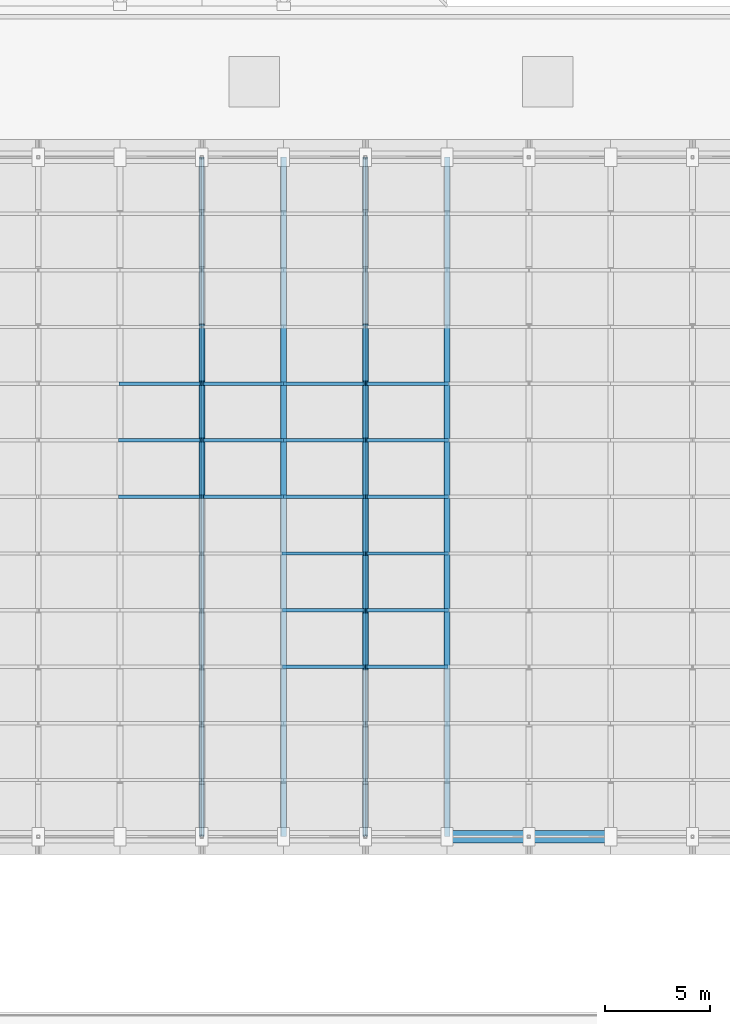
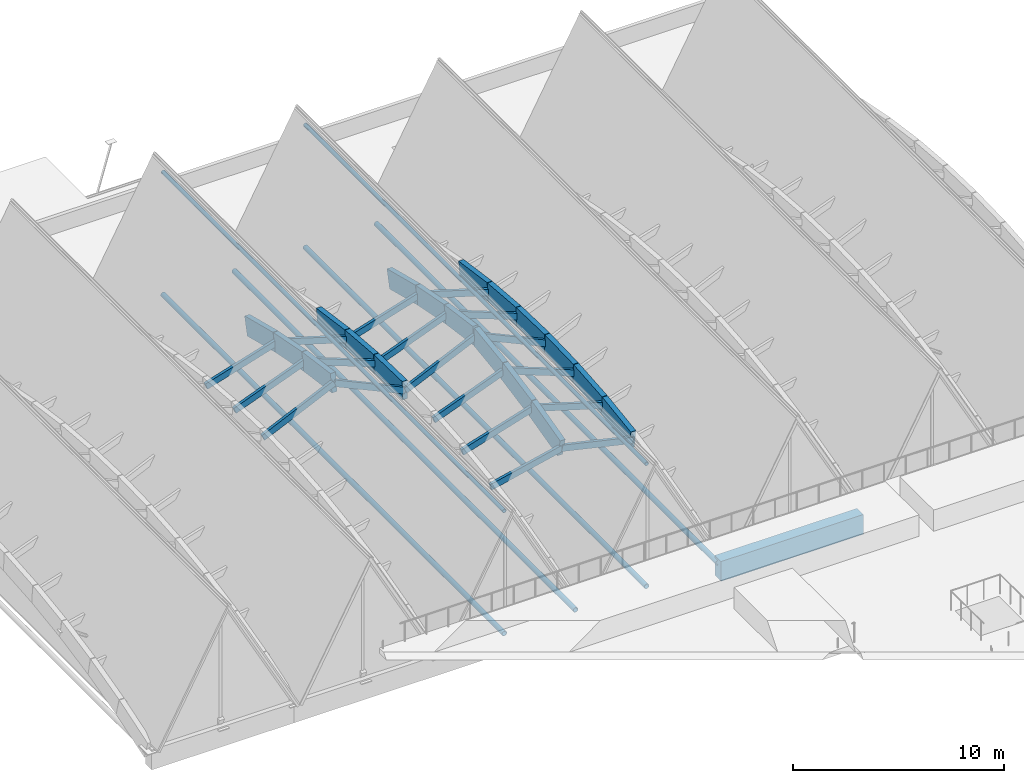
# One storey, part 7 of 39: 42 members, 1 beam.
"""IFC4 building model written with IfcOpenShell, lengths in metres."""

import ifcopenshell
import ifcopenshell.guid

model = None  # the IFC model being written
_history = None  # IfcOwnerHistory: only IFC2X3 demands one
_inside = {}  # id of a spatial element -> (the spatial element, [elements in it])
_under = {}  # id of a project, library or spatial element -> (it, [spatial elements below it])
_declared = {}  # id of a project -> (the project, [libraries it declares])
_typed = {}  # id of a type object -> (the type object, [elements of that type])
_made_of = {}  # id of a material, layer set ... -> (it, [elements and type objects made of it])


def new_model(schema):
    """Start an empty IFC model of exactly this schema.

    Asked for "IFC4X3", IfcOpenShell would pick the latest addendum, in which some entities
    have other attributes; the version numbers below select the first issue.
    IFC2X3 requires an IfcOwnerHistory on every rooted entity: one is made here for all.
    """
    global model, _history
    if schema == "IFC4X3":
        model = ifcopenshell.file(schema_version=(4, 3, 0, 0))
    else:
        model = ifcopenshell.file(schema=schema)
    _inside.clear()
    _under.clear()
    _declared.clear()
    _typed.clear()
    _made_of.clear()
    _history = None
    if model.schema == "IFC2X3":
        org = make("IfcOrganization", Name="unknown")
        user = make(
            "IfcPersonAndOrganization",
            ThePerson=make("IfcPerson", FamilyName="unknown"),
            TheOrganization=org,
        )
        app = make(
            "IfcApplication",
            ApplicationDeveloper=org,
            Version="unknown",
            ApplicationFullName="unknown",
            ApplicationIdentifier="unknown",
        )
        _history = make(
            "IfcOwnerHistory",
            OwningUser=user,
            OwningApplication=app,
            ChangeAction="ADDED",
            CreationDate=0,
        )
    return model


def make(cls, **values):
    """One entity of the class cls with the attributes given. An attribute that is None is left unset."""
    return model.create_entity(
        cls, **{name: value for name, value in values.items() if value is not None}
    )


def rooted(cls, **values):
    """An entity with a GlobalId (a new one), such as an element, a storey or a relation."""
    return make(cls, GlobalId=ifcopenshell.guid.new(), OwnerHistory=_history, **values)


def si_unit(unit_type, name, prefix=None):
    """IfcSIUnit, for example si_unit("LENGTHUNIT", "METRE", prefix="MILLI")."""
    return make("IfcSIUnit", UnitType=unit_type, Prefix=prefix, Name=name)


def assignment(units):
    """IfcUnitAssignment: the units of a project."""
    return None if units is None else make("IfcUnitAssignment", Units=units)


def point(xyz):
    """IfcCartesianPoint."""
    return None if xyz is None else make("IfcCartesianPoint", Coordinates=xyz)


def direction(xyz):
    """IfcDirection."""
    return None if xyz is None else make("IfcDirection", DirectionRatios=xyz)


def frame(location, z_axis=None, x_axis=None):
    """IfcAxis2Placement3D, a coordinate frame: its origin and axes. An axis left out is left unset."""
    return make(
        "IfcAxis2Placement3D",
        Location=point(location),
        Axis=direction(z_axis),
        RefDirection=direction(x_axis),
    )


def frame_2d(location, x_axis=None):
    """IfcAxis2Placement2D, a coordinate frame in the plane: its origin and x axis."""
    return make(
        "IfcAxis2Placement2D", Location=point(location), RefDirection=direction(x_axis)
    )


def origin():
    """The frame at (0, 0, 0) with its axes left unset."""
    return frame((0.0, 0.0, 0.0))


def origin_2d():
    """The frame at (0, 0) in the plane with its x axis left unset."""
    return frame_2d((0.0, 0.0))


def place(relative_to, where):
    """IfcLocalPlacement: puts the frame where relative to a parent placement (None: the world)."""
    return make(
        "IfcLocalPlacement", PlacementRelTo=relative_to, RelativePlacement=where
    )


def context(
    kind, dimensions, precision=None, world=None, true_north=None, identifier=None
):
    """IfcGeometricRepresentationContext, for example the 3D "Model" context."""
    return make(
        "IfcGeometricRepresentationContext",
        ContextIdentifier=identifier,
        ContextType=kind,
        CoordinateSpaceDimension=dimensions,
        Precision=precision,
        WorldCoordinateSystem=world,
        TrueNorth=true_north,
    )


def subcontext(parent, identifier, kind, view, scale=None):
    """IfcGeometricRepresentationSubContext, for example "Body" below "Model"."""
    return make(
        "IfcGeometricRepresentationSubContext",
        ContextIdentifier=identifier,
        ContextType=kind,
        ParentContext=parent,
        TargetScale=scale,
        TargetView=view,
    )


def project(units=None, contexts=None):
    """IfcProject with its units and contexts."""
    return rooted(
        "IfcProject",
        Name="project",
        RepresentationContexts=contexts,
        UnitsInContext=assignment(units),
    )


def spatial(cls, under=None, at=None, **own):
    """A site, building, storey or space (cls), placed at a placement, below another one or the project."""
    s = rooted(cls, ObjectPlacement=at, **own)
    if under is not None:
        _under.setdefault(under.id(), (under, []))[1].append(s)
    return s


def profile(cls, at=None, kind="AREA", **sizes):
    """A parametric profile (cls). Its sizes go by their IFC names, for example OverallWidth=200.0."""
    return make(cls, ProfileType=kind, Position=at, **sizes)


def rectangle(**sizes):
    """IfcRectangleProfileDef."""
    return profile("IfcRectangleProfileDef", **sizes)


def hollow_circle(**sizes):
    """IfcCircleHollowProfileDef."""
    return profile("IfcCircleHollowProfileDef", **sizes)


def extrude(swept, where, along, depth):
    """IfcExtrudedAreaSolid: the profile swept, set in the frame where, extruded along a direction by depth."""
    return make(
        "IfcExtrudedAreaSolid",
        SweptArea=swept,
        Position=where,
        ExtrudedDirection=direction(along),
        Depth=depth,
    )


def shape(context_of_items, identifier, shape_type, items):
    """IfcShapeRepresentation: the items that make up one representation, for example the "Body"."""
    return make(
        "IfcShapeRepresentation",
        ContextOfItems=context_of_items,
        RepresentationIdentifier=identifier,
        RepresentationType=shape_type,
        Items=items,
    )


def material(Name=None, Category=None):
    """IfcMaterial."""
    return make("IfcMaterial", Name=Name, Category=Category)


def material_profile(
    of_material, cross_section, Name=None, Category=None, Priority=None
):
    """IfcMaterialProfile: a cross section and its material."""
    return make(
        "IfcMaterialProfile",
        Name=Name,
        Material=of_material,
        Profile=cross_section,
        Priority=Priority,
        Category=Category,
    )


def profile_set(profiles, Name=None, composite=None):
    """IfcMaterialProfileSet."""
    return make(
        "IfcMaterialProfileSet",
        Name=Name,
        MaterialProfiles=profiles,
        CompositeProfile=composite,
    )


def made_of(thing, what):
    """Note that an element or type object is made of a material, layer set ...; save() writes the relation."""
    if what is not None:
        _made_of.setdefault(what.id(), (what, []))[1].append(thing)
    return thing


def type_object(cls, material=None, **own):
    """A type object (cls), such as IfcWallType, which elements share."""
    return made_of(rooted(cls, **own), material)


def element(
    cls,
    number,
    at=None,
    inside=None,
    cuts=None,
    type_object=None,
    material=None,
    context=None,
    identifier="Body",
    shape_type=None,
    held_by="IfcProductDefinitionShape",
    body=None,
    shapes=None,
    **own,
):
    """One element of the class cls, such as IfcWall. Its Tag is "e" and its number.

    at: its placement. inside: the storey or other place that contains it. cuts: it is an
    opening in that element (IfcRelVoidsElement). A single representation is given by context,
    identifier, shape_type and body (its items); several are given by shapes. held_by: the class
    of the entity that holds the representations. save() writes the other relations.
    """
    e = rooted(cls, Tag="e%d" % number, ObjectPlacement=at, **own)
    if body is not None:
        shapes = [shape(context, identifier, shape_type, body)]
    if shapes is not None:
        e.Representation = make(held_by, Representations=shapes)
    if inside is not None:
        _inside.setdefault(inside.id(), (inside, []))[1].append(e)
    if cuts is not None:
        rooted(
            "IfcRelVoidsElement", RelatingBuildingElement=cuts, RelatedOpeningElement=e
        )
    if type_object is not None:
        _typed.setdefault(type_object.id(), (type_object, []))[1].append(e)
    return made_of(e, material)


def aggregate(whole, parts):
    """IfcRelAggregates: a whole, such as a stair, and the parts it consists of."""
    return rooted("IfcRelAggregates", RelatingObject=whole, RelatedObjects=parts)


def save(model, path):
    """Write the relations noted so far, then the file.

    IfcRelAggregates (storeys below a building ...), IfcRelContainedInSpatialStructure (elements
    in a storey), IfcRelDefinesByType, IfcRelAssociatesMaterial and IfcRelDeclares: one each for
    every whole, place, type object, material and project.
    """
    for whole, parts in _under.values():
        aggregate(whole, parts)
    for where, things in _inside.values():
        rooted(
            "IfcRelContainedInSpatialStructure",
            RelatedElements=things,
            RelatingStructure=where,
        )
    for kind, things in _typed.values():
        rooted("IfcRelDefinesByType", RelatedObjects=things, RelatingType=kind)
    for what, things in _made_of.values():
        rooted("IfcRelAssociatesMaterial", RelatedObjects=things, RelatingMaterial=what)
    for by, libraries in _declared.values():
        rooted("IfcRelDeclares", RelatingContext=by, RelatedDefinitions=libraries)
    model.write(path)


model = new_model("IFC4")

# Units and contexts
model_context = context("Model", 3, precision=1e-05, world=origin(), true_north=direction((0.0, 1.0)))
body_context = subcontext(model_context, "Body", "Model", "MODEL_VIEW")
ifc_project = project(units=[si_unit("LENGTHUNIT", "METRE"), si_unit("AREAUNIT", "SQUARE_METRE"), si_unit("VOLUMEUNIT", "CUBIC_METRE"), si_unit("PLANEANGLEUNIT", "RADIAN"), si_unit("MASSUNIT", "GRAM", prefix="KILO")], contexts=[model_context])

# Site, building, storey
site_placement = place(None, origin())
site = spatial("IfcSite", under=ifc_project, at=site_placement, CompositionType="ELEMENT")
building_placement = place(site_placement, origin())
building = spatial("IfcBuilding", under=site, at=building_placement, Name="Tizgana Railside Sports Hall", CompositionType="ELEMENT")
storey_placement = place(building_placement, frame((0.0, 0.0, 23.699951171875)))
storey = spatial("IfcBuildingStorey", under=building, at=storey_placement, Name="RF", CompositionType="ELEMENT", Elevation=23.699951171875)

# Beam
ifc_material_1 = material(Name="Concrete C40/50", Category="concrete")
ifc_material_profile_1 = material_profile(ifc_material_1, rectangle(XDim=0.60009765625, YDim=1.14990234375, at=origin_2d()), Name="RCB 600x1150")
ifc_profile_set_1 = profile_set([ifc_material_profile_1], Name="Concrete C40/50")
beam_type = type_object("IfcBeamType", Name="Concrete Beam RCB 600x1150", PredefinedType="BEAM", material=ifc_profile_set_1)
beam_placement = place(storey_placement, frame((31.199951171875, 40.800048828125, -8.675048828125), z_axis=(1.0, 0.0, 0.0), x_axis=(0.0, 1.0, 0.0)))
element("IfcBeam", 1, at=beam_placement, inside=storey, type_object=beam_type, Name="RF BEM-1214", PredefinedType="BEAM", context=body_context, shape_type="SweptSolid", body=[
    extrude(rectangle(XDim=0.60009765625, YDim=1.14990234375, at=origin_2d()), origin(), (0.0, 0.0, 1.0), 7.800048828125),
])

# Members
ifc_material_2 = material(Name="Glulam GL32h", Category="wood")
ifc_material_profile_2 = material_profile(ifc_material_2, rectangle(XDim=0.280029296875, YDim=1.050048828125, at=origin_2d()), Name="GL 280x1050")
ifc_profile_set_2 = profile_set([ifc_material_profile_2], Name="Glulam GL32h")
member_type_1 = type_object("IfcMemberType", Name="Glulam Arch Segment GL 280x1050", PredefinedType="USERDEFINED", material=ifc_profile_set_2)
member_1_placement = place(storey_placement, frame((19.5, 57.0, -3.633544921875), z_axis=(0.0, 0.990443057088, -0.137922263126), x_axis=(-1.0, 0.0, 0.0)))
element("IfcMember", 2, at=member_1_placement, inside=storey, type_object=member_type_1, Name="RF V1 Arch Chord MEM-0095", ObjectType="ARCH_SEGMENT", PredefinedType="USERDEFINED", context=body_context, shape_type="SweptSolid", body=[
    extrude(rectangle(XDim=0.280029296875, YDim=1.050048828125, at=origin_2d()), origin(), (0.0, 0.0, 1.0), 2.72607421875),
])
member_2_placement = place(storey_placement, frame((19.5, 59.699951171875, -4.009521484375), z_axis=(0.0, 0.981354466381, -0.192206689048), x_axis=(-1.0, 0.0, 0.0)))
element("IfcMember", 3, at=member_2_placement, inside=storey, type_object=member_type_1, Name="RF V1 Arch Chord MEM-0096", ObjectType="ARCH_SEGMENT", PredefinedType="USERDEFINED", context=body_context, shape_type="SweptSolid", body=[
    extrude(rectangle(XDim=0.280029296875, YDim=1.050048828125, at=origin_2d()), origin(), (0.0, 0.0, 1.0), 2.751220703125),
])
member_3_placement = place(storey_placement, frame((19.5, 62.39990234375, -4.538330078125), z_axis=(0.0, 0.969416374533, -0.24542186697), x_axis=(-1.0, 0.0, 0.0)))
element("IfcMember", 4, at=member_3_placement, inside=storey, type_object=member_type_1, Name="RF V1 Arch Chord MEM-0097", ObjectType="ARCH_SEGMENT", PredefinedType="USERDEFINED", context=body_context, shape_type="SweptSolid", body=[
    extrude(rectangle(XDim=0.280029296875, YDim=1.050048828125, at=origin_2d()), origin(), (0.0, 0.0, 1.0), 2.785400390625),
])
member_4_placement = place(storey_placement, frame((23.39990234375, 57.0, -5.43359375), z_axis=(0.0, 0.999604813986, -0.028110778294), x_axis=(-1.0, 0.0, 0.0)))
element("IfcMember", 5, at=member_4_placement, inside=storey, type_object=member_type_1, Name="RF V1 Arch Chord MEM-0108", ObjectType="ARCH_SEGMENT", PredefinedType="USERDEFINED", context=body_context, shape_type="SweptSolid", body=[
    extrude(rectangle(XDim=0.280029296875, YDim=1.050048828125, at=origin_2d()), origin(), (0.0, 0.0, 1.0), 2.700927734375),
])
member_5_placement = place(storey_placement, frame((23.39990234375, 59.699951171875, -5.509521484375), z_axis=(0.0, 0.996429846681, -0.084424881666), x_axis=(-1.0, 0.0, 0.0)))
element("IfcMember", 6, at=member_5_placement, inside=storey, type_object=member_type_1, Name="RF V1 Arch Chord MEM-0109", ObjectType="ARCH_SEGMENT", PredefinedType="USERDEFINED", context=body_context, shape_type="SweptSolid", body=[
    extrude(rectangle(XDim=0.280029296875, YDim=1.050048828125, at=origin_2d()), origin(), (0.0, 0.0, 1.0), 2.709716796875),
])
member_6_placement = place(storey_placement, frame((23.39990234375, 62.39990234375, -5.73828125), z_axis=(0.0, 0.990049503072, -0.140719513456), x_axis=(-1.0, 0.0, 0.0)))
element("IfcMember", 7, at=member_6_placement, inside=storey, type_object=member_type_1, Name="RF V1 Arch Chord MEM-0110", ObjectType="ARCH_SEGMENT", PredefinedType="USERDEFINED", context=body_context, shape_type="SweptSolid", body=[
    extrude(rectangle(XDim=0.280029296875, YDim=1.050048828125, at=origin_2d()), origin(), (0.0, 0.0, 1.0), 2.727294921875),
])
member_7_placement = place(storey_placement, frame((27.300048828125, 48.89990234375, -5.221923828125), z_axis=(0.0, 0.969416374533, 0.24542186697), x_axis=(-1.0, 0.0, 0.0)))
element("IfcMember", 8, at=member_7_placement, inside=storey, type_object=member_type_1, Name="RF V1 Arch Chord MEM-0118", ObjectType="ARCH_SEGMENT", PredefinedType="USERDEFINED", context=body_context, shape_type="SweptSolid", body=[
    extrude(rectangle(XDim=0.280029296875, YDim=1.050048828125, at=origin_2d()), origin(), (0.0, 0.0, 1.0), 2.785400390625),
])
member_8_placement = place(storey_placement, frame((27.300048828125, 51.60009765625, -4.538330078125), z_axis=(0.0, 0.981354466381, 0.192206689048), x_axis=(-1.0, 0.0, 0.0)))
element("IfcMember", 9, at=member_8_placement, inside=storey, type_object=member_type_1, Name="RF V1 Arch Chord MEM-0119", ObjectType="ARCH_SEGMENT", PredefinedType="USERDEFINED", context=body_context, shape_type="SweptSolid", body=[
    extrude(rectangle(XDim=0.280029296875, YDim=1.050048828125, at=origin_2d()), origin(), (0.0, 0.0, 1.0), 2.751220703125),
])
for number, where, z_axis, x_axis, name in (
    (10, (27.300048828125, 54.300048828125, -4.009521484375), (0.0, 0.990443057088, 0.137922263126), (-1.0, 0.0, 0.0), "RF V1 Arch Chord MEM-0120"),
    (11, (27.300048828125, 57.0, -3.633544921875), (0.0, 0.990443057088, -0.137922263126), (-1.0, 0.0, 0.0), "RF V1 Arch Chord MEM-0121"),
):
    element("IfcMember", number, at=place(storey_placement, frame(where, z_axis=z_axis, x_axis=x_axis)), inside=storey, type_object=member_type_1, Name=name, ObjectType="ARCH_SEGMENT", PredefinedType="USERDEFINED", context=body_context, shape_type="SweptSolid", body=[
        extrude(rectangle(XDim=0.280029296875, YDim=1.050048828125, at=origin_2d()), origin(), (0.0, 0.0, 1.0), 2.72607421875),
    ])
member_9_placement = place(storey_placement, frame((27.300048828125, 59.699951171875, -4.009521484375), z_axis=(0.0, 0.981354466381, -0.192206689048), x_axis=(-1.0, 0.0, 0.0)))
element("IfcMember", 12, at=member_9_placement, inside=storey, type_object=member_type_1, Name="RF V1 Arch Chord MEM-0122", ObjectType="ARCH_SEGMENT", PredefinedType="USERDEFINED", context=body_context, shape_type="SweptSolid", body=[
    extrude(rectangle(XDim=0.280029296875, YDim=1.050048828125, at=origin_2d()), origin(), (0.0, 0.0, 1.0), 2.751220703125),
])
member_10_placement = place(storey_placement, frame((27.300048828125, 62.39990234375, -4.538330078125), z_axis=(0.0, 0.969416374533, -0.24542186697), x_axis=(-1.0, 0.0, 0.0)))
element("IfcMember", 13, at=member_10_placement, inside=storey, type_object=member_type_1, Name="RF V1 Arch Chord MEM-0123", ObjectType="ARCH_SEGMENT", PredefinedType="USERDEFINED", context=body_context, shape_type="SweptSolid", body=[
    extrude(rectangle(XDim=0.280029296875, YDim=1.050048828125, at=origin_2d()), origin(), (0.0, 0.0, 1.0), 2.785400390625),
])
member_11_placement = place(storey_placement, frame((31.199951171875, 48.89990234375, -6.1220703125), z_axis=(0.0, 0.990049503072, 0.140719513456), x_axis=(-1.0, 0.0, 0.0)))
element("IfcMember", 14, at=member_11_placement, inside=storey, type_object=member_type_1, Name="RF V1 Arch Chord MEM-0131", ObjectType="ARCH_SEGMENT", PredefinedType="USERDEFINED", context=body_context, shape_type="SweptSolid", body=[
    extrude(rectangle(XDim=0.280029296875, YDim=1.050048828125, at=origin_2d()), origin(), (0.0, 0.0, 1.0), 2.727294921875),
])
member_12_placement = place(storey_placement, frame((31.199951171875, 51.60009765625, -5.73828125), z_axis=(0.0, 0.996429846681, 0.084424881666), x_axis=(-1.0, 0.0, 0.0)))
element("IfcMember", 15, at=member_12_placement, inside=storey, type_object=member_type_1, Name="RF V1 Arch Chord MEM-0132", ObjectType="ARCH_SEGMENT", PredefinedType="USERDEFINED", context=body_context, shape_type="SweptSolid", body=[
    extrude(rectangle(XDim=0.280029296875, YDim=1.050048828125, at=origin_2d()), origin(), (0.0, 0.0, 1.0), 2.709716796875),
])
for number, where, z_axis, x_axis, name in (
    (16, (31.199951171875, 54.300048828125, -5.509521484375), (0.0, 0.999604813986, 0.028110778294), (-1.0, 0.0, 0.0), "RF V1 Arch Chord MEM-0133"),
    (17, (31.199951171875, 57.0, -5.43359375), (0.0, 0.999604813986, -0.028110778294), (-1.0, 0.0, 0.0), "RF V1 Arch Chord MEM-0134"),
):
    element("IfcMember", number, at=place(storey_placement, frame(where, z_axis=z_axis, x_axis=x_axis)), inside=storey, type_object=member_type_1, Name=name, ObjectType="ARCH_SEGMENT", PredefinedType="USERDEFINED", context=body_context, shape_type="SweptSolid", body=[
        extrude(rectangle(XDim=0.280029296875, YDim=1.050048828125, at=origin_2d()), origin(), (0.0, 0.0, 1.0), 2.700927734375),
    ])
member_13_placement = place(storey_placement, frame((31.199951171875, 59.699951171875, -5.509521484375), z_axis=(0.0, 0.996429846681, -0.084424881666), x_axis=(-1.0, 0.0, 0.0)))
element("IfcMember", 18, at=member_13_placement, inside=storey, type_object=member_type_1, Name="RF V1 Arch Chord MEM-0135", ObjectType="ARCH_SEGMENT", PredefinedType="USERDEFINED", context=body_context, shape_type="SweptSolid", body=[
    extrude(rectangle(XDim=0.280029296875, YDim=1.050048828125, at=origin_2d()), origin(), (0.0, 0.0, 1.0), 2.709716796875),
])
member_14_placement = place(storey_placement, frame((31.199951171875, 62.39990234375, -5.73828125), z_axis=(0.0, 0.990049503072, -0.140719513456), x_axis=(-1.0, 0.0, 0.0)))
element("IfcMember", 19, at=member_14_placement, inside=storey, type_object=member_type_1, Name="RF V1 Arch Chord MEM-0136", ObjectType="ARCH_SEGMENT", PredefinedType="USERDEFINED", context=body_context, shape_type="SweptSolid", body=[
    extrude(rectangle(XDim=0.280029296875, YDim=1.050048828125, at=origin_2d()), origin(), (0.0, 0.0, 1.0), 2.727294921875),
])
ifc_material_3 = material(Name="Glulam GL28h", Category="wood")
ifc_material_profile_3 = material_profile(ifc_material_3, rectangle(XDim=0.159912109375, YDim=0.360107421875, at=origin_2d()), Name="GL 160x360")
ifc_profile_set_3 = profile_set([ifc_material_profile_3], Name="Glulam GL28h")
member_type_2 = type_object("IfcMemberType", Name="Glulam Roof Purlin GL 160x360", PredefinedType="PURLIN", material=ifc_profile_set_3)
for number, where, z_axis, x_axis, name in (
    (20, (15.60009765625, 57.0, -5.43359375), (0.907951066374, 0.0, 0.419076199598), (0.0, 1.0, 0.0), "RF V1 Purlin MEM-0287"),
    (21, (19.5, 57.0, -3.633544921875), (0.907951066374, 0.0, -0.419076199598), (0.0, 1.0, 0.0), "RF V1 Purlin MEM-0288"),
):
    element("IfcMember", number, at=place(storey_placement, frame(where, z_axis=z_axis, x_axis=x_axis)), inside=storey, type_object=member_type_2, Name=name, PredefinedType="PURLIN", context=body_context, shape_type="SweptSolid", body=[
        extrude(rectangle(XDim=0.159912109375, YDim=0.360107421875, at=origin_2d()), origin(), (0.0, 0.0, 1.0), 4.295166015625),
    ])
for number, where, z_axis, x_axis, name in (
    (22, (15.60009765625, 59.699951171875, -5.509521484375), (0.933342594373, 0.0, 0.358986909968), (0.0, 1.0, 0.0), "RF V1 Purlin MEM-0289"),
    (23, (19.5, 59.699951171875, -4.009521484375), (0.933342594373, 0.0, -0.358986909968), (0.0, 1.0, 0.0), "RF V1 Purlin MEM-0290"),
):
    element("IfcMember", number, at=place(storey_placement, frame(where, z_axis=z_axis, x_axis=x_axis)), inside=storey, type_object=member_type_2, Name=name, PredefinedType="PURLIN", context=body_context, shape_type="SweptSolid", body=[
        extrude(rectangle(XDim=0.159912109375, YDim=0.360107421875, at=origin_2d()), origin(), (0.0, 0.0, 1.0), 4.178466796875),
    ])
for number, where, z_axis, x_axis, name in (
    (24, (15.60009765625, 62.39990234375, -5.73828125), (0.95578030241, 0.0, 0.294081644319), (0.0, 1.0, 0.0), "RF V1 Purlin MEM-0291"),
    (25, (19.5, 62.39990234375, -4.538330078125), (0.95578030241, 0.0, -0.294081644319), (0.0, 1.0, 0.0), "RF V1 Purlin MEM-0292"),
):
    element("IfcMember", number, at=place(storey_placement, frame(where, z_axis=z_axis, x_axis=x_axis)), inside=storey, type_object=member_type_2, Name=name, PredefinedType="PURLIN", context=body_context, shape_type="SweptSolid", body=[
        extrude(rectangle(XDim=0.159912109375, YDim=0.360107421875, at=origin_2d()), origin(), (0.0, 0.0, 1.0), 4.080322265625),
    ])
member_15_placement = place(storey_placement, frame((23.39990234375, 48.89990234375, -6.1220703125), z_axis=(0.974385027358, 0.0, 0.224886234483), x_axis=(0.0, 1.0, 0.0)))
element("IfcMember", 26, at=member_15_placement, inside=storey, type_object=member_type_2, Name="RF V1 Purlin MEM-0306", PredefinedType="PURLIN", context=body_context, shape_type="SweptSolid", body=[
    extrude(rectangle(XDim=0.159912109375, YDim=0.360107421875, at=origin_2d()), origin(), (0.0, 0.0, 1.0), 4.002685546875),
])
member_16_placement = place(storey_placement, frame((27.300048828125, 48.89990234375, -5.221923828125), z_axis=(0.974381942365, 0.0, -0.224899600695), x_axis=(0.0, 1.0, 0.0)))
element("IfcMember", 27, at=member_16_placement, inside=storey, type_object=member_type_2, Name="RF V1 Purlin MEM-0307", PredefinedType="PURLIN", context=body_context, shape_type="SweptSolid", body=[
    extrude(rectangle(XDim=0.159912109375, YDim=0.360107421875, at=origin_2d()), origin(), (0.0, 0.0, 1.0), 4.00244140625),
])
member_17_placement = place(storey_placement, frame((23.39990234375, 51.60009765625, -5.73828125), z_axis=(0.955785476607, 0.0, 0.294064827388), x_axis=(0.0, 1.0, 0.0)))
element("IfcMember", 28, at=member_17_placement, inside=storey, type_object=member_type_2, Name="RF V1 Purlin MEM-0308", PredefinedType="PURLIN", context=body_context, shape_type="SweptSolid", body=[
    extrude(rectangle(XDim=0.159912109375, YDim=0.360107421875, at=origin_2d()), origin(), (0.0, 0.0, 1.0), 4.08056640625),
])
member_18_placement = place(storey_placement, frame((27.300048828125, 51.60009765625, -4.538330078125), z_axis=(0.95578030241, 0.0, -0.294081644319), x_axis=(0.0, 1.0, 0.0)))
element("IfcMember", 29, at=member_18_placement, inside=storey, type_object=member_type_2, Name="RF V1 Purlin MEM-0309", PredefinedType="PURLIN", context=body_context, shape_type="SweptSolid", body=[
    extrude(rectangle(XDim=0.159912109375, YDim=0.360107421875, at=origin_2d()), origin(), (0.0, 0.0, 1.0), 4.080322265625),
])
member_19_placement = place(storey_placement, frame((23.39990234375, 54.300048828125, -5.509521484375), z_axis=(0.933350123578, 0.0, 0.358967333913), x_axis=(0.0, 1.0, 0.0)))
element("IfcMember", 30, at=member_19_placement, inside=storey, type_object=member_type_2, Name="RF V1 Purlin MEM-0310", PredefinedType="PURLIN", context=body_context, shape_type="SweptSolid", body=[
    extrude(rectangle(XDim=0.159912109375, YDim=0.360107421875, at=origin_2d()), origin(), (0.0, 0.0, 1.0), 4.1787109375),
])
member_20_placement = place(storey_placement, frame((27.300048828125, 54.300048828125, -4.009521484375), z_axis=(0.933342594373, 0.0, -0.358986909968), x_axis=(0.0, 1.0, 0.0)))
element("IfcMember", 31, at=member_20_placement, inside=storey, type_object=member_type_2, Name="RF V1 Purlin MEM-0311", PredefinedType="PURLIN", context=body_context, shape_type="SweptSolid", body=[
    extrude(rectangle(XDim=0.159912109375, YDim=0.360107421875, at=origin_2d()), origin(), (0.0, 0.0, 1.0), 4.178466796875),
])
member_21_placement = place(storey_placement, frame((23.39990234375, 57.0, -5.43359375), z_axis=(0.907961047997, 0.0, 0.419054573201), x_axis=(0.0, 1.0, 0.0)))
element("IfcMember", 32, at=member_21_placement, inside=storey, type_object=member_type_2, Name="RF V1 Purlin MEM-0312", PredefinedType="PURLIN", context=body_context, shape_type="SweptSolid", body=[
    extrude(rectangle(XDim=0.159912109375, YDim=0.360107421875, at=origin_2d()), origin(), (0.0, 0.0, 1.0), 4.29541015625),
])
member_22_placement = place(storey_placement, frame((27.300048828125, 57.0, -3.633544921875), z_axis=(0.907951066374, 0.0, -0.419076199598), x_axis=(0.0, 1.0, 0.0)))
element("IfcMember", 33, at=member_22_placement, inside=storey, type_object=member_type_2, Name="RF V1 Purlin MEM-0313", PredefinedType="PURLIN", context=body_context, shape_type="SweptSolid", body=[
    extrude(rectangle(XDim=0.159912109375, YDim=0.360107421875, at=origin_2d()), origin(), (0.0, 0.0, 1.0), 4.295166015625),
])
member_23_placement = place(storey_placement, frame((23.39990234375, 59.699951171875, -5.509521484375), z_axis=(0.933350123578, 0.0, 0.358967333913), x_axis=(0.0, 1.0, 0.0)))
element("IfcMember", 34, at=member_23_placement, inside=storey, type_object=member_type_2, Name="RF V1 Purlin MEM-0314", PredefinedType="PURLIN", context=body_context, shape_type="SweptSolid", body=[
    extrude(rectangle(XDim=0.159912109375, YDim=0.360107421875, at=origin_2d()), origin(), (0.0, 0.0, 1.0), 4.1787109375),
])
member_24_placement = place(storey_placement, frame((27.300048828125, 59.699951171875, -4.009521484375), z_axis=(0.933342594373, 0.0, -0.358986909968), x_axis=(0.0, 1.0, 0.0)))
element("IfcMember", 35, at=member_24_placement, inside=storey, type_object=member_type_2, Name="RF V1 Purlin MEM-0315", PredefinedType="PURLIN", context=body_context, shape_type="SweptSolid", body=[
    extrude(rectangle(XDim=0.159912109375, YDim=0.360107421875, at=origin_2d()), origin(), (0.0, 0.0, 1.0), 4.178466796875),
])
member_25_placement = place(storey_placement, frame((23.39990234375, 62.39990234375, -5.73828125), z_axis=(0.955785476607, 0.0, 0.294064827388), x_axis=(0.0, 1.0, 0.0)))
element("IfcMember", 36, at=member_25_placement, inside=storey, type_object=member_type_2, Name="RF V1 Purlin MEM-0316", PredefinedType="PURLIN", context=body_context, shape_type="SweptSolid", body=[
    extrude(rectangle(XDim=0.159912109375, YDim=0.360107421875, at=origin_2d()), origin(), (0.0, 0.0, 1.0), 4.08056640625),
])
member_26_placement = place(storey_placement, frame((27.300048828125, 62.39990234375, -4.538330078125), z_axis=(0.95578030241, 0.0, -0.294081644319), x_axis=(0.0, 1.0, 0.0)))
element("IfcMember", 37, at=member_26_placement, inside=storey, type_object=member_type_2, Name="RF V1 Purlin MEM-0317", PredefinedType="PURLIN", context=body_context, shape_type="SweptSolid", body=[
    extrude(rectangle(XDim=0.159912109375, YDim=0.360107421875, at=origin_2d()), origin(), (0.0, 0.0, 1.0), 4.080322265625),
])
ifc_material_4 = material(Name="Steel S355J2", Category="steel")
ifc_material_profile_4 = material_profile(ifc_material_4, hollow_circle(Radius=0.109619140625, WallThickness=0.010009765625, at=origin_2d()), Name="CHS 219.1x10")
ifc_profile_set_4 = profile_set([ifc_material_profile_4], Name="Steel S355J2")
member_type_3 = type_object("IfcMemberType", Name="Steel Chord CHS 219.1x10", PredefinedType="CHORD", material=ifc_profile_set_4)
for number, where, z_axis, x_axis, name in (
    (38, (19.5, 40.800048828125, -1.25), (0.0, 1.0, 0.0), (-1.0, 0.0, 0.0), "RF V1 Ridge Chord MEM-0276"),
    (39, (27.300048828125, 40.800048828125, -1.25), (0.0, 1.0, 0.0), (-1.0, 0.0, 0.0), "RF V1 Ridge Chord MEM-0301"),
):
    element("IfcMember", number, at=place(storey_placement, frame(where, z_axis=z_axis, x_axis=x_axis)), inside=storey, type_object=member_type_3, Name=name, PredefinedType="CHORD", context=body_context, shape_type="SweptSolid", body=[
        extrude(hollow_circle(Radius=0.109619140625, WallThickness=0.010009765625, at=origin_2d()), origin(), (0.0, 0.0, 1.0), 32.39990234375),
    ])
ifc_material_profile_5 = material_profile(ifc_material_4, hollow_circle(Radius=0.136474609375, WallThickness=0.012451171875, at=origin_2d()), Name="CHS 273x12.5")
ifc_profile_set_5 = profile_set([ifc_material_profile_5], Name="Steel S355J2")
member_type_4 = type_object("IfcMemberType", Name="Steel Chord CHS 273x12.5", PredefinedType="CHORD", material=ifc_profile_set_5)
for number, where, z_axis, x_axis, name in (
    (40, (19.5, 40.800048828125, -8.349853515625), (0.0, 1.0, 0.0), (-1.0, 0.0, 0.0), "RF V1 Tie Chord MEM-0088"),
    (41, (23.39990234375, 40.800048828125, -8.349853515625), (0.0, 1.0, 0.0), (-1.0, 0.0, 0.0), "RF V1 Tie Chord MEM-0101"),
    (42, (27.300048828125, 40.800048828125, -8.349853515625), (0.0, 1.0, 0.0), (-1.0, 0.0, 0.0), "RF V1 Tie Chord MEM-0114"),
    (43, (31.199951171875, 40.800048828125, -8.349853515625), (0.0, 1.0, 0.0), (-1.0, 0.0, 0.0), "RF V1 Tie Chord MEM-0127"),
):
    element("IfcMember", number, at=place(storey_placement, frame(where, z_axis=z_axis, x_axis=x_axis)), inside=storey, type_object=member_type_4, Name=name, PredefinedType="CHORD", context=body_context, shape_type="SweptSolid", body=[
        extrude(hollow_circle(Radius=0.136474609375, WallThickness=0.012451171875, at=origin_2d()), origin(), (0.0, 0.0, 1.0), 32.39990234375),
    ])

save(model, "model.ifc")
